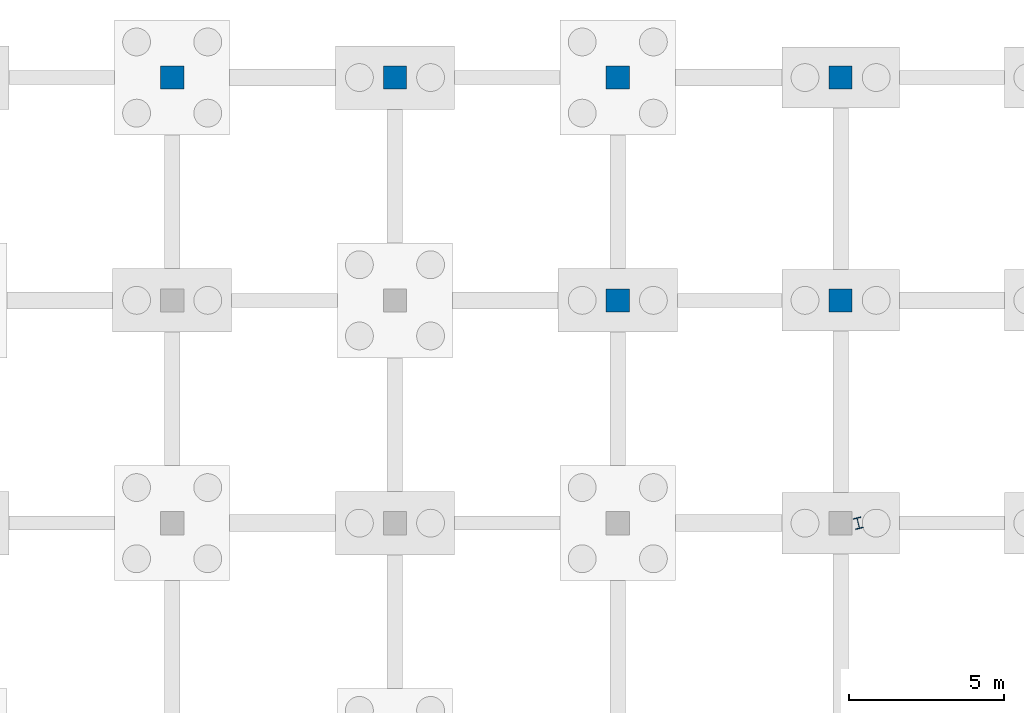
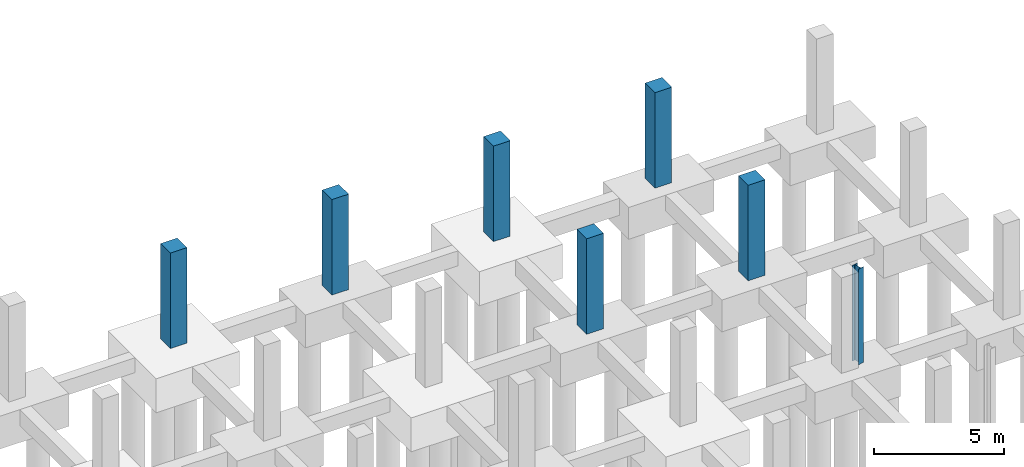
# One storey, part 18 of 36: 7 columns.
"""IFC4 building model written with IfcOpenShell, lengths in metres."""

import ifcopenshell
import ifcopenshell.guid

model = None  # the IFC model being written
_history = None  # IfcOwnerHistory: only IFC2X3 demands one
_inside = {}  # id of a spatial element -> (the spatial element, [elements in it])
_under = {}  # id of a project, library or spatial element -> (it, [spatial elements below it])
_declared = {}  # id of a project -> (the project, [libraries it declares])
_typed = {}  # id of a type object -> (the type object, [elements of that type])
_made_of = {}  # id of a material, layer set ... -> (it, [elements and type objects made of it])


def new_model(schema):
    """Start an empty IFC model of exactly this schema.

    Asked for "IFC4X3", IfcOpenShell would pick the latest addendum, in which some entities
    have other attributes; the version numbers below select the first issue.
    IFC2X3 requires an IfcOwnerHistory on every rooted entity: one is made here for all.
    """
    global model, _history
    if schema == "IFC4X3":
        model = ifcopenshell.file(schema_version=(4, 3, 0, 0))
    else:
        model = ifcopenshell.file(schema=schema)
    _inside.clear()
    _under.clear()
    _declared.clear()
    _typed.clear()
    _made_of.clear()
    _history = None
    if model.schema == "IFC2X3":
        org = make("IfcOrganization", Name="unknown")
        user = make(
            "IfcPersonAndOrganization",
            ThePerson=make("IfcPerson", FamilyName="unknown"),
            TheOrganization=org,
        )
        app = make(
            "IfcApplication",
            ApplicationDeveloper=org,
            Version="unknown",
            ApplicationFullName="unknown",
            ApplicationIdentifier="unknown",
        )
        _history = make(
            "IfcOwnerHistory",
            OwningUser=user,
            OwningApplication=app,
            ChangeAction="ADDED",
            CreationDate=0,
        )
    return model


def make(cls, **values):
    """One entity of the class cls with the attributes given. An attribute that is None is left unset."""
    return model.create_entity(
        cls, **{name: value for name, value in values.items() if value is not None}
    )


def rooted(cls, **values):
    """An entity with a GlobalId (a new one), such as an element, a storey or a relation."""
    return make(cls, GlobalId=ifcopenshell.guid.new(), OwnerHistory=_history, **values)


def si_unit(unit_type, name, prefix=None):
    """IfcSIUnit, for example si_unit("LENGTHUNIT", "METRE", prefix="MILLI")."""
    return make("IfcSIUnit", UnitType=unit_type, Prefix=prefix, Name=name)


def assignment(units):
    """IfcUnitAssignment: the units of a project."""
    return None if units is None else make("IfcUnitAssignment", Units=units)


def point(xyz):
    """IfcCartesianPoint."""
    return None if xyz is None else make("IfcCartesianPoint", Coordinates=xyz)


def direction(xyz):
    """IfcDirection."""
    return None if xyz is None else make("IfcDirection", DirectionRatios=xyz)


def frame(location, z_axis=None, x_axis=None):
    """IfcAxis2Placement3D, a coordinate frame: its origin and axes. An axis left out is left unset."""
    return make(
        "IfcAxis2Placement3D",
        Location=point(location),
        Axis=direction(z_axis),
        RefDirection=direction(x_axis),
    )


def frame_2d(location, x_axis=None):
    """IfcAxis2Placement2D, a coordinate frame in the plane: its origin and x axis."""
    return make(
        "IfcAxis2Placement2D", Location=point(location), RefDirection=direction(x_axis)
    )


def origin():
    """The frame at (0, 0, 0) with its axes left unset."""
    return frame((0.0, 0.0, 0.0))


def origin_2d():
    """The frame at (0, 0) in the plane with its x axis left unset."""
    return frame_2d((0.0, 0.0))


def place(relative_to, where):
    """IfcLocalPlacement: puts the frame where relative to a parent placement (None: the world)."""
    return make(
        "IfcLocalPlacement", PlacementRelTo=relative_to, RelativePlacement=where
    )


def context(
    kind, dimensions, precision=None, world=None, true_north=None, identifier=None
):
    """IfcGeometricRepresentationContext, for example the 3D "Model" context."""
    return make(
        "IfcGeometricRepresentationContext",
        ContextIdentifier=identifier,
        ContextType=kind,
        CoordinateSpaceDimension=dimensions,
        Precision=precision,
        WorldCoordinateSystem=world,
        TrueNorth=true_north,
    )


def subcontext(parent, identifier, kind, view, scale=None):
    """IfcGeometricRepresentationSubContext, for example "Body" below "Model"."""
    return make(
        "IfcGeometricRepresentationSubContext",
        ContextIdentifier=identifier,
        ContextType=kind,
        ParentContext=parent,
        TargetScale=scale,
        TargetView=view,
    )


def project(units=None, contexts=None):
    """IfcProject with its units and contexts."""
    return rooted(
        "IfcProject",
        Name="project",
        RepresentationContexts=contexts,
        UnitsInContext=assignment(units),
    )


def spatial(cls, under=None, at=None, **own):
    """A site, building, storey or space (cls), placed at a placement, below another one or the project."""
    s = rooted(cls, ObjectPlacement=at, **own)
    if under is not None:
        _under.setdefault(under.id(), (under, []))[1].append(s)
    return s


def profile(cls, at=None, kind="AREA", **sizes):
    """A parametric profile (cls). Its sizes go by their IFC names, for example OverallWidth=200.0."""
    return make(cls, ProfileType=kind, Position=at, **sizes)


def rectangle(**sizes):
    """IfcRectangleProfileDef."""
    return profile("IfcRectangleProfileDef", **sizes)


def i_section(**sizes):
    """IfcIShapeProfileDef."""
    return profile("IfcIShapeProfileDef", **sizes)


def extrude(swept, where, along, depth):
    """IfcExtrudedAreaSolid: the profile swept, set in the frame where, extruded along a direction by depth."""
    return make(
        "IfcExtrudedAreaSolid",
        SweptArea=swept,
        Position=where,
        ExtrudedDirection=direction(along),
        Depth=depth,
    )


def shape(context_of_items, identifier, shape_type, items):
    """IfcShapeRepresentation: the items that make up one representation, for example the "Body"."""
    return make(
        "IfcShapeRepresentation",
        ContextOfItems=context_of_items,
        RepresentationIdentifier=identifier,
        RepresentationType=shape_type,
        Items=items,
    )


def material(Name=None, Category=None):
    """IfcMaterial."""
    return make("IfcMaterial", Name=Name, Category=Category)


def material_profile(
    of_material, cross_section, Name=None, Category=None, Priority=None
):
    """IfcMaterialProfile: a cross section and its material."""
    return make(
        "IfcMaterialProfile",
        Name=Name,
        Material=of_material,
        Profile=cross_section,
        Priority=Priority,
        Category=Category,
    )


def profile_set(profiles, Name=None, composite=None):
    """IfcMaterialProfileSet."""
    return make(
        "IfcMaterialProfileSet",
        Name=Name,
        MaterialProfiles=profiles,
        CompositeProfile=composite,
    )


def made_of(thing, what):
    """Note that an element or type object is made of a material, layer set ...; save() writes the relation."""
    if what is not None:
        _made_of.setdefault(what.id(), (what, []))[1].append(thing)
    return thing


def type_object(cls, material=None, **own):
    """A type object (cls), such as IfcWallType, which elements share."""
    return made_of(rooted(cls, **own), material)


def element(
    cls,
    number,
    at=None,
    inside=None,
    cuts=None,
    type_object=None,
    material=None,
    context=None,
    identifier="Body",
    shape_type=None,
    held_by="IfcProductDefinitionShape",
    body=None,
    shapes=None,
    **own,
):
    """One element of the class cls, such as IfcWall. Its Tag is "e" and its number.

    at: its placement. inside: the storey or other place that contains it. cuts: it is an
    opening in that element (IfcRelVoidsElement). A single representation is given by context,
    identifier, shape_type and body (its items); several are given by shapes. held_by: the class
    of the entity that holds the representations. save() writes the other relations.
    """
    e = rooted(cls, Tag="e%d" % number, ObjectPlacement=at, **own)
    if body is not None:
        shapes = [shape(context, identifier, shape_type, body)]
    if shapes is not None:
        e.Representation = make(held_by, Representations=shapes)
    if inside is not None:
        _inside.setdefault(inside.id(), (inside, []))[1].append(e)
    if cuts is not None:
        rooted(
            "IfcRelVoidsElement", RelatingBuildingElement=cuts, RelatedOpeningElement=e
        )
    if type_object is not None:
        _typed.setdefault(type_object.id(), (type_object, []))[1].append(e)
    return made_of(e, material)


def aggregate(whole, parts):
    """IfcRelAggregates: a whole, such as a stair, and the parts it consists of."""
    return rooted("IfcRelAggregates", RelatingObject=whole, RelatedObjects=parts)


def save(model, path):
    """Write the relations noted so far, then the file.

    IfcRelAggregates (storeys below a building ...), IfcRelContainedInSpatialStructure (elements
    in a storey), IfcRelDefinesByType, IfcRelAssociatesMaterial and IfcRelDeclares: one each for
    every whole, place, type object, material and project.
    """
    for whole, parts in _under.values():
        aggregate(whole, parts)
    for where, things in _inside.values():
        rooted(
            "IfcRelContainedInSpatialStructure",
            RelatedElements=things,
            RelatingStructure=where,
        )
    for kind, things in _typed.values():
        rooted("IfcRelDefinesByType", RelatedObjects=things, RelatingType=kind)
    for what, things in _made_of.values():
        rooted("IfcRelAssociatesMaterial", RelatedObjects=things, RelatingMaterial=what)
    for by, libraries in _declared.values():
        rooted("IfcRelDeclares", RelatingContext=by, RelatedDefinitions=libraries)
    model.write(path)


model = new_model("IFC4")

# Units and contexts
model_context = context("Model", 3, precision=1e-05, world=origin(), true_north=direction((0.0, 1.0)))
body_context = subcontext(model_context, "Body", "Model", "MODEL_VIEW")
ifc_project = project(units=[si_unit("LENGTHUNIT", "METRE"), si_unit("AREAUNIT", "SQUARE_METRE"), si_unit("VOLUMEUNIT", "CUBIC_METRE"), si_unit("PLANEANGLEUNIT", "RADIAN"), si_unit("MASSUNIT", "GRAM", prefix="KILO")], contexts=[model_context])

# Site, building, storey
site_placement = place(None, origin())
site = spatial("IfcSite", under=ifc_project, at=site_placement, CompositionType="ELEMENT")
building_placement = place(site_placement, origin())
building = spatial("IfcBuilding", under=site, at=building_placement, Name="Kalmorath City Hall", CompositionType="ELEMENT")
storey_placement = place(building_placement, frame((0.0, 0.0, -4.5)))
storey = spatial("IfcBuildingStorey", under=building, at=storey_placement, Name="B1", CompositionType="ELEMENT", Elevation=-4.5)

# Columns
ifc_material_1 = material(Name="Concrete C50/60", Category="concrete")
ifc_material_profile_1 = material_profile(ifc_material_1, rectangle(XDim=0.75, YDim=0.75, at=origin_2d()), Name="RC-COL-750X750")
ifc_profile_set_1 = profile_set([ifc_material_profile_1], Name="Concrete C50/60")
column_type_1 = type_object("IfcColumnType", Name="Concrete column 750x750", PredefinedType="COLUMN", material=ifc_profile_set_1)
for number, where, z_axis, x_axis, name in (
    (1, (100.800048828125, 115.199951171875, 0.0), (0.0, 0.0, 1.0), (1.0, 0.0, 0.0), "B1 column C3 (15/17)"),
    (2, (108.0, 115.199951171875, 0.0), (0.0, 0.0, 1.0), (1.0, 0.0, 0.0), "B1 column C3 (16/17)"),
    (3, (115.199951171875, 108.0, 0.0), (0.0, 0.0, 1.0), (1.0, 0.0, 0.0), "B1 column C3 (17/16)"),
    (4, (115.199951171875, 115.199951171875, 0.0), (0.0, 0.0, 1.0), (1.0, 0.0, 0.0), "B1 column C3 (17/17)"),
    (5, (122.39990234375, 108.0, 0.0), (0.0, 0.0, 1.0), (1.0, 0.0, 0.0), "B1 column C3 (18/16)"),
    (6, (122.39990234375, 115.199951171875, 0.0), (0.0, 0.0, 1.0), (1.0, 0.0, 0.0), "B1 column C3 (18/17)"),
):
    element("IfcColumn", number, at=place(storey_placement, frame(where, z_axis=z_axis, x_axis=x_axis)), inside=storey, type_object=column_type_1, Name=name, PredefinedType="COLUMN", context=body_context, shape_type="SweptSolid", body=[
        extrude(rectangle(XDim=0.75, YDim=0.75, at=origin_2d()), origin(), (0.0, 0.0, 1.0), 4.5),
    ])
ifc_material_2 = material(Name="Steel ASTM A992 Grade 50", Category="steel")
ifc_material_profile_2 = material_profile(ifc_material_2, i_section(OverallWidth=0.256103515625, OverallDepth=0.360107421875, WebThickness=0.011474609375, FlangeThickness=0.02001953125, FilletRadius=0.014892578125, at=origin_2d()), Name="W14X74")
ifc_profile_set_2 = profile_set([ifc_material_profile_2], Name="Steel ASTM A992 Grade 50")
column_type_2 = type_object("IfcColumnType", Name="Steel wide-flange column W14X74", PredefinedType="COLUMN", material=ifc_profile_set_2)
column_placement = place(storey_placement, frame((122.971435546875, 100.800048828125, 0.0), z_axis=(0.0, 0.0, 1.0), x_axis=(0.972369920398, 0.233445363856, 0.0)))
element("IfcColumn", 7, at=column_placement, inside=storey, type_object=column_type_2, Name="B1 library splay column SC4-9", PredefinedType="COLUMN", context=body_context, shape_type="SweptSolid", body=[
    extrude(i_section(OverallWidth=0.256103515625, OverallDepth=0.360107421875, WebThickness=0.011474609375, FlangeThickness=0.02001953125, FilletRadius=0.014892578125, at=origin_2d()), origin(), (0.0, 0.0, 1.0), 4.5),
])

save(model, "model.ifc")
